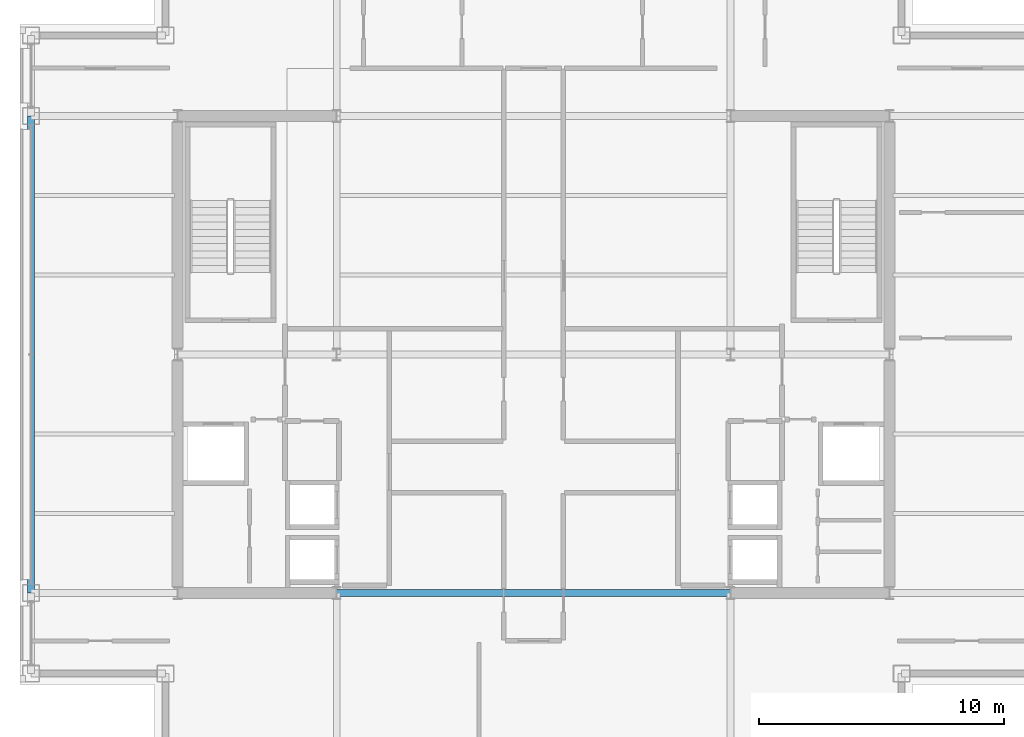
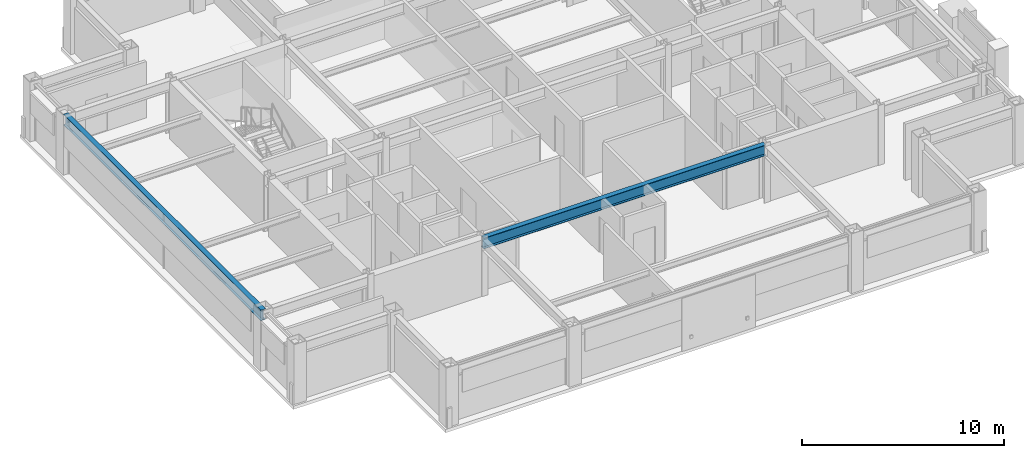
# One storey, part 7 of 30: 2 beams.
"""IFC4 building model written with IfcOpenShell, lengths in metres."""

from ifc_helpers import new_model, si_unit, direction, frame, origin, origin_2d, place, context, subcontext, project, spatial, i_section, extrude, material, material_profile, profile_set, type_object, element, save


model = new_model("IFC4")

# Units and contexts
model_context = context("Model", 3, precision=1e-05, world=origin(), true_north=direction((0.0, 1.0)))
body_context = subcontext(model_context, "Body", "Model", "MODEL_VIEW")
ifc_project = project(units=[si_unit("LENGTHUNIT", "METRE"), si_unit("AREAUNIT", "SQUARE_METRE"), si_unit("VOLUMEUNIT", "CUBIC_METRE"), si_unit("PLANEANGLEUNIT", "RADIAN"), si_unit("MASSUNIT", "GRAM", prefix="KILO")], contexts=[model_context])

# Site, building, storey
site_placement = place(None, origin())
site = spatial("IfcSite", under=ifc_project, at=site_placement, CompositionType="ELEMENT")
building_placement = place(site_placement, origin())
building = spatial("IfcBuilding", under=site, at=building_placement, Name="Brelmoor Portico Tower", CompositionType="ELEMENT")
storey_placement = place(building_placement, frame((0.0, 0.0, 198.300048828125)))
storey = spatial("IfcBuildingStorey", under=building, at=storey_placement, Name="L52", CompositionType="ELEMENT", Elevation=198.300048828125)

# Beams
ifc_material = material(Name="Steel Q355B", Category="steel")
ifc_material_profile_1 = material_profile(ifc_material, i_section(OverallWidth=0.280029296875, OverallDepth=0.64990234375, WebThickness=0.012939453125, FlangeThickness=0.02197265625, at=origin_2d()), Name="HN 650x280x13x22")
ifc_profile_set_1 = profile_set([ifc_material_profile_1], Name="Steel Q355B")
beam_type_1 = type_object("IfcBeamType", Name="BM-PG-650", PredefinedType="BEAM", material=ifc_profile_set_1)
beam_1_placement = place(storey_placement, frame((-8.050048828125, -9.75, 3.074951171875), z_axis=(1.0, 0.0, 0.0), x_axis=(0.0, 1.0, 0.0)))
element("IfcBeam", 1, at=beam_1_placement, inside=storey, type_object=beam_type_1, Name="L52 Primary Floor Girder PG-13", PredefinedType="BEAM", context=body_context, shape_type="SweptSolid", body=[
    extrude(i_section(OverallWidth=0.280029296875, OverallDepth=0.64990234375, WebThickness=0.012939453125, FlangeThickness=0.02197265625, at=origin_2d()), origin(), (0.0, 0.0, 1.0), 16.10009765625),
])
ifc_material_profile_2 = material_profile(ifc_material, i_section(OverallWidth=0.280029296875, OverallDepth=0.64990234375, WebThickness=0.012939453125, FlangeThickness=0.02197265625, at=origin_2d()), Name="HN 650x280x13x22")
ifc_profile_set_2 = profile_set([ifc_material_profile_2], Name="Steel Q355B")
beam_type_2 = type_object("IfcBeamType", Name="BM-SP-650", PredefinedType="SPANDREL", material=ifc_profile_set_2)
beam_2_placement = place(storey_placement, frame((-20.550048828125, -9.75, 3.074951171875), z_axis=(0.0, 1.0, 0.0), x_axis=(-1.0, 0.0, 0.0)))
element("IfcBeam", 2, at=beam_2_placement, inside=storey, type_object=beam_type_2, Name="L52 Perimeter Spandrel Beam SP-12", PredefinedType="SPANDREL", context=body_context, shape_type="SweptSolid", body=[
    extrude(i_section(OverallWidth=0.280029296875, OverallDepth=0.64990234375, WebThickness=0.012939453125, FlangeThickness=0.02197265625, at=origin_2d()), origin(), (0.0, 0.0, 1.0), 19.5),
])

save(model, "model.ifc")
